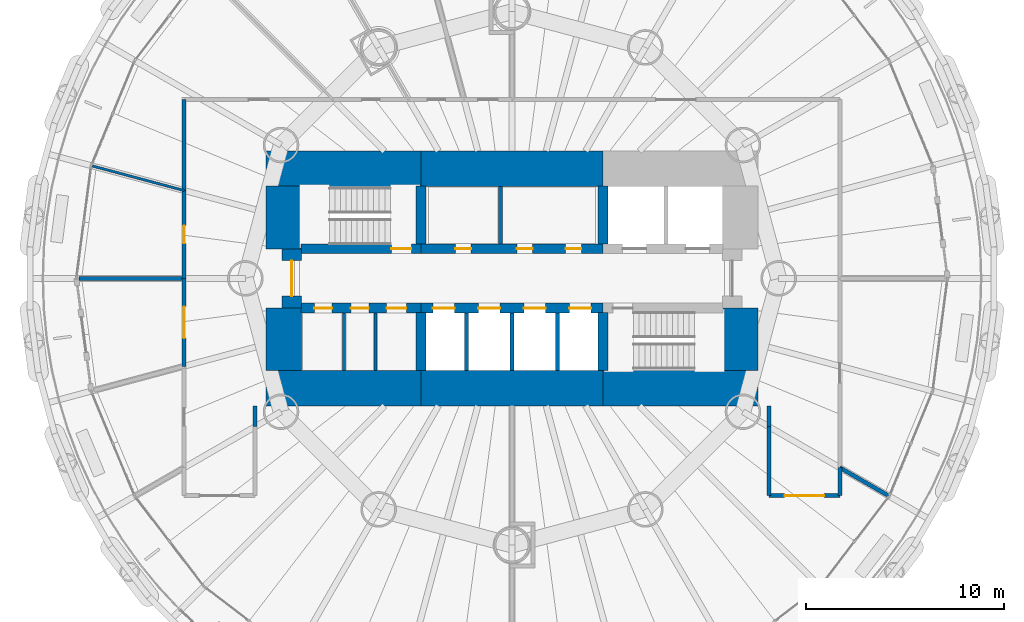
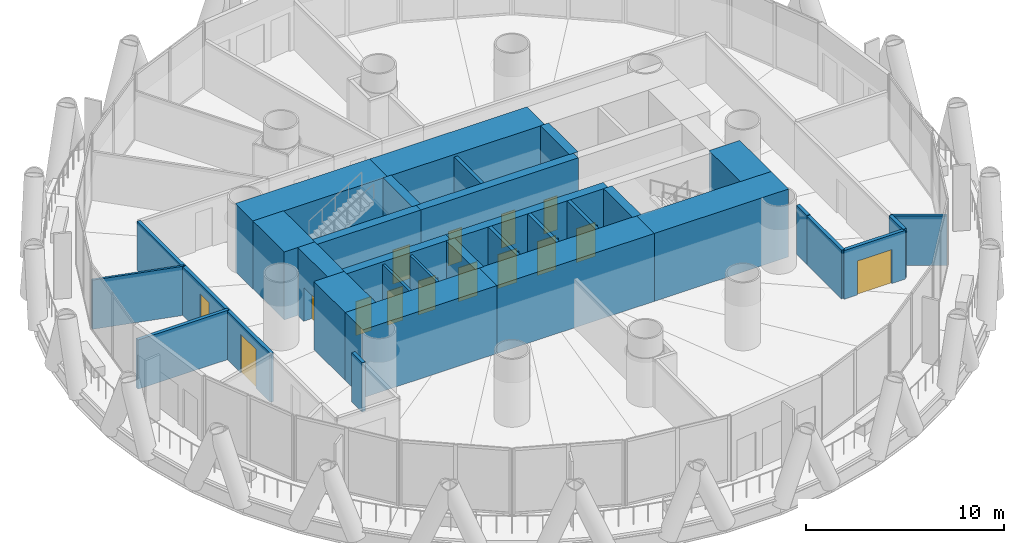
# One storey, part 10 of 16: 34 walls, 15 doors, 15 openings.
"""IFC4 building model written with IfcOpenShell, lengths in metres."""

from ifc_helpers import new_model, si_unit, direction, frame, frame_2d, origin, place, context, subcontext, project, spatial, rectangle, extrude, material, layer, layer_set, type_object, element, fill, save


model = new_model("IFC4")

# Units and contexts
model_context = context("Model", 3, precision=1e-05, world=origin(), true_north=direction((0.0, 1.0)))
body_context = subcontext(model_context, "Body", "Model", "MODEL_VIEW")
ifc_project = project(units=[si_unit("LENGTHUNIT", "METRE"), si_unit("AREAUNIT", "SQUARE_METRE"), si_unit("VOLUMEUNIT", "CUBIC_METRE"), si_unit("PLANEANGLEUNIT", "RADIAN"), si_unit("MASSUNIT", "GRAM", prefix="KILO")], contexts=[model_context])

# Site, building, storey
site_placement = place(None, origin())
site = spatial("IfcSite", under=ifc_project, at=site_placement, CompositionType="ELEMENT")
building_placement = place(site_placement, origin())
building = spatial("IfcBuilding", under=site, at=building_placement, Name="Qaws Media Tower", CompositionType="ELEMENT")
storey_placement = place(building_placement, frame((0.0, 0.0, 181.39990234375)))
storey = spatial("IfcBuildingStorey", under=building, at=storey_placement, Name="L41", CompositionType="ELEMENT", Elevation=181.39990234375)

# Wall, opening, door
ifc_material_1 = material(Name="Concrete C60/75", Category="concrete")
ifc_layer_1 = layer(ifc_material_1, 0.5)
ifc_layer_set_1 = layer_set([ifc_layer_1], Name="Core inner wall 500")
wall_type_1 = type_object("IfcWallType", Name="Core inner wall 500", PredefinedType="SHEAR", material=ifc_layer_set_1)
wall_1_placement = place(storey_placement, frame((49.330078125, 51.5, 0.0), z_axis=(0.0, 0.0, 1.0), x_axis=(1.0, 0.0, 0.0)))
wall_1 = element("IfcWall", 1, at=wall_1_placement, inside=storey, type_object=wall_type_1, Name="W339 SW12 core wall SPNW L41", PredefinedType="SHEAR", context=body_context, shape_type="SweptSolid", body=[
    extrude(rectangle(XDim=6.06982421875, YDim=0.5, at=frame_2d((3.034912109375, 0.0))), origin(), (0.0, 0.0, 1.0), 4.2001953125),
])
opening_1_placement = place(wall_1_placement, frame((4.570068359375, 0.0, 0.0)))
opening_1 = element("IfcOpeningElement", 2, at=opening_1_placement, cuts=wall_1, Name="Opening D1", PredefinedType="OPENING", context=body_context, shape_type="SweptSolid", body=[
    extrude(rectangle(XDim=1.0, YDim=2.10009765625, at=frame_2d((0.5, 1.050048828125))), frame((0.0, 0.260009765625, 0.0), z_axis=(0.0, -1.0, 0.0), x_axis=(1.0, 0.0, 0.0)), (0.0, 0.0, 1.0), 0.52001953125),
])
ifc_material_2 = material(Name="Steel, fire rated", Category="steel")
door_type_1 = type_object("IfcDoorType", Name="Stair door 1000 FD120", OperationType="SINGLE_SWING_LEFT", PredefinedType="DOOR", material=ifc_material_2)
door_1_placement = place(opening_1_placement, origin())
door_1 = element("IfcDoor", 3, at=door_1_placement, inside=storey, type_object=door_type_1, Name="D1 stair S1 door L41 in wall W339", OperationType="SINGLE_SWING_LEFT", OverallHeight=2.10009765625, OverallWidth=1.0, PredefinedType="DOOR", context=body_context, shape_type="SweptSolid", body=[
    extrude(rectangle(XDim=1.0, YDim=2.10009765625, at=frame_2d((0.5, 1.050048828125))), frame((0.0, 0.02490234375, 0.0), z_axis=(0.0, -1.0, 0.0), x_axis=(1.0, 0.0, 0.0)), (0.0, 0.0, 1.0), 0.050048828125),
])
fill(opening_1, door_1)

# Wall, openings, doors
wall_2_placement = place(storey_placement, frame((55.39990234375, 51.5, 0.0), z_axis=(0.0, 0.0, 1.0), x_axis=(1.0, 0.0, 0.0)))
wall_2 = element("IfcWall", 4, at=wall_2_placement, inside=storey, type_object=wall_type_1, Name="W332 SW12 core wall SPN L41", PredefinedType="SHEAR", context=body_context, shape_type="SweptSolid", body=[
    extrude(rectangle(XDim=9.2001953125, YDim=0.5, at=frame_2d((4.60009765625, 0.0))), origin(), (0.0, 0.0, 1.0), 4.2001953125),
])
opening_2_placement = place(wall_2_placement, frame((1.728515625, 0.0, 0.0)))
opening_2 = element("IfcOpeningElement", 5, at=opening_2_placement, cuts=wall_2, Name="Opening D23", PredefinedType="OPENING", context=body_context, shape_type="SweptSolid", body=[
    extrude(rectangle(XDim=0.800048828125, YDim=2.10009765625, at=frame_2d((0.39990234375, 1.050048828125))), frame((0.0, 0.260009765625, 0.0), z_axis=(0.0, -1.0, 0.0), x_axis=(1.0, 0.0, 0.0)), (0.0, 0.0, 1.0), 0.52001953125),
])
opening_3_placement = place(wall_2_placement, frame((4.842529296875, 0.0, 0.0)))
opening_3 = element("IfcOpeningElement", 6, at=opening_3_placement, cuts=wall_2, Name="Opening D23", PredefinedType="OPENING", context=body_context, shape_type="SweptSolid", body=[
    extrude(rectangle(XDim=0.800048828125, YDim=2.10009765625, at=frame_2d((0.39990234375, 1.050048828125))), frame((0.0, 0.260009765625, 0.0), z_axis=(0.0, -1.0, 0.0), x_axis=(1.0, 0.0, 0.0)), (0.0, 0.0, 1.0), 0.52001953125),
])
opening_4_placement = place(wall_2_placement, frame((7.314208984375, 0.0, 0.0)))
opening_4 = element("IfcOpeningElement", 7, at=opening_4_placement, cuts=wall_2, Name="Opening D23", PredefinedType="OPENING", context=body_context, shape_type="SweptSolid", body=[
    extrude(rectangle(XDim=0.800048828125, YDim=2.10009765625, at=frame_2d((0.39990234375, 1.050048828125))), frame((0.0, 0.260009765625, 0.0), z_axis=(0.0, -1.0, 0.0), x_axis=(1.0, 0.0, 0.0)), (0.0, 0.0, 1.0), 0.52001953125),
])
ifc_material_3 = material(Name="Steel, fire rated", Category="steel")
door_type_2 = type_object("IfcDoorType", Name="Core room door 800x2100", OperationType="SINGLE_SWING_LEFT", PredefinedType="DOOR", material=ifc_material_3)
door_2_placement = place(opening_2_placement, origin())
door_2 = element("IfcDoor", 8, at=door_2_placement, inside=storey, type_object=door_type_2, Name="D23 Gents toilets door L41 in wall W332", OperationType="SINGLE_SWING_LEFT", OverallHeight=2.10009765625, OverallWidth=0.800048828125, PredefinedType="DOOR", context=body_context, shape_type="SweptSolid", body=[
    extrude(rectangle(XDim=0.800048828125, YDim=2.10009765625, at=frame_2d((0.39990234375, 1.050048828125))), frame((0.0, 0.02490234375, 0.0), z_axis=(0.0, -1.0, 0.0), x_axis=(1.0, 0.0, 0.0)), (0.0, 0.0, 1.0), 0.050048828125),
])
fill(opening_2, door_2)
door_3_placement = place(opening_3_placement, origin())
door_3 = element("IfcDoor", 9, at=door_3_placement, inside=storey, type_object=door_type_2, Name="D23 Ladies toilets door L41 2 in wall W332", OperationType="SINGLE_SWING_LEFT", OverallHeight=2.10009765625, OverallWidth=0.800048828125, PredefinedType="DOOR", context=body_context, shape_type="SweptSolid", body=[
    extrude(rectangle(XDim=0.800048828125, YDim=2.10009765625, at=frame_2d((0.39990234375, 1.050048828125))), frame((0.0, 0.02490234375, 0.0), z_axis=(0.0, -1.0, 0.0), x_axis=(1.0, 0.0, 0.0)), (0.0, 0.0, 1.0), 0.050048828125),
])
fill(opening_3, door_3)
door_4_placement = place(opening_4_placement, origin())
door_4 = element("IfcDoor", 10, at=door_4_placement, inside=storey, type_object=door_type_2, Name="D23 Ladies toilets door L41 3 in wall W332", OperationType="SINGLE_SWING_LEFT", OverallHeight=2.10009765625, OverallWidth=0.800048828125, PredefinedType="DOOR", context=body_context, shape_type="SweptSolid", body=[
    extrude(rectangle(XDim=0.800048828125, YDim=2.10009765625, at=frame_2d((0.39990234375, 1.050048828125))), frame((0.0, 0.02490234375, 0.0), z_axis=(0.0, -1.0, 0.0), x_axis=(1.0, 0.0, 0.0)), (0.0, 0.0, 1.0), 0.050048828125),
])
fill(opening_4, door_4)

wall_3_placement = place(storey_placement, frame((49.330078125, 48.5, 0.0), z_axis=(0.0, 0.0, 1.0), x_axis=(1.0, 0.0, 0.0)))
wall_3 = element("IfcWall", 11, at=wall_3_placement, inside=storey, type_object=wall_type_1, Name="W338 SW12 core wall SPSW L41", PredefinedType="SHEAR", context=body_context, shape_type="SweptSolid", body=[
    extrude(rectangle(XDim=6.06982421875, YDim=0.5, at=frame_2d((3.034912109375, 0.0))), origin(), (0.0, 0.0, 1.0), 4.2001953125),
])
opening_5_placement = place(wall_3_placement, frame((0.669921875, 0.0, 0.0)))
opening_5 = element("IfcOpeningElement", 12, at=opening_5_placement, cuts=wall_3, Name="Opening D3", PredefinedType="OPENING", context=body_context, shape_type="SweptSolid", body=[
    extrude(rectangle(XDim=0.89990234375, YDim=2.10009765625, at=frame_2d((0.449951171875, 1.050048828125))), frame((0.0, 0.260009765625, 0.0), z_axis=(0.0, -1.0, 0.0), x_axis=(1.0, 0.0, 0.0)), (0.0, 0.0, 1.0), 0.52001953125),
])
opening_6_placement = place(wall_3_placement, frame((2.52001953125, 0.0, 0.0)))
opening_6 = element("IfcOpeningElement", 13, at=opening_6_placement, cuts=wall_3, Name="Opening D25", PredefinedType="OPENING", context=body_context, shape_type="SweptSolid", body=[
    extrude(rectangle(XDim=0.89990234375, YDim=2.10009765625, at=frame_2d((0.449951171875, 1.050048828125))), frame((0.0, 0.260009765625, 0.0), z_axis=(0.0, -1.0, 0.0), x_axis=(1.0, 0.0, 0.0)), (0.0, 0.0, 1.0), 0.52001953125),
])
opening_7_placement = place(wall_3_placement, frame((4.320068359375, 0.0, 0.0)))
opening_7 = element("IfcOpeningElement", 14, at=opening_7_placement, cuts=wall_3, Name="Opening D4", PredefinedType="OPENING", context=body_context, shape_type="SweptSolid", body=[
    extrude(rectangle(XDim=1.0, YDim=2.10009765625, at=frame_2d((0.5, 1.050048828125))), frame((0.0, 0.260009765625, 0.0), z_axis=(0.0, -1.0, 0.0), x_axis=(1.0, 0.0, 0.0)), (0.0, 0.0, 1.0), 0.52001953125),
])
ifc_material_4 = material(Name="Timber veneered", Category="wood")
door_type_3 = type_object("IfcDoorType", Name="Accessible WC door 1000", OperationType="SLIDING_TO_LEFT", PredefinedType="DOOR", material=ifc_material_4)
door_5_placement = place(opening_7_placement, origin())
door_5 = element("IfcDoor", 15, at=door_5_placement, inside=storey, type_object=door_type_3, Name="D4 toilet door 3 L41 in wall W338", OperationType="SLIDING_TO_LEFT", OverallHeight=2.10009765625, OverallWidth=1.0, PredefinedType="DOOR", context=body_context, shape_type="SweptSolid", body=[
    extrude(rectangle(XDim=1.0, YDim=2.10009765625, at=frame_2d((0.5, 1.050048828125))), frame((0.0, 0.02490234375, 0.0), z_axis=(0.0, -1.0, 0.0), x_axis=(1.0, 0.0, 0.0)), (0.0, 0.0, 1.0), 0.050048828125),
])
fill(opening_7, door_5)
ifc_material_5 = material(Name="Steel, fire rated", Category="steel")
door_type_4 = type_object("IfcDoorType", Name="Core service door 900", OperationType="SINGLE_SWING_RIGHT", PredefinedType="DOOR", material=ifc_material_5)
door_6_placement = place(opening_6_placement, origin())
door_6 = element("IfcDoor", 16, at=door_6_placement, inside=storey, type_object=door_type_4, Name="D25 toilet door 2 L41 in wall W338", OperationType="SINGLE_SWING_RIGHT", OverallHeight=2.10009765625, OverallWidth=0.89990234375, PredefinedType="DOOR", context=body_context, shape_type="SweptSolid", body=[
    extrude(rectangle(XDim=0.89990234375, YDim=2.10009765625, at=frame_2d((0.449951171875, 1.050048828125))), frame((0.0, 0.02490234375, 0.0), z_axis=(0.0, -1.0, 0.0), x_axis=(1.0, 0.0, 0.0)), (0.0, 0.0, 1.0), 0.050048828125),
])
fill(opening_6, door_6)
ifc_material_6 = material(Name="Timber veneered", Category="wood")
door_type_5 = type_object("IfcDoorType", Name="Toilet door 900", OperationType="SINGLE_SWING_RIGHT", PredefinedType="DOOR", material=ifc_material_6)
door_7_placement = place(opening_5_placement, origin())
door_7 = element("IfcDoor", 17, at=door_7_placement, inside=storey, type_object=door_type_5, Name="D3 toilet door 1 L41 in wall W338", OperationType="SINGLE_SWING_RIGHT", OverallHeight=2.10009765625, OverallWidth=0.89990234375, PredefinedType="DOOR", context=body_context, shape_type="SweptSolid", body=[
    extrude(rectangle(XDim=0.89990234375, YDim=2.10009765625, at=frame_2d((0.449951171875, 1.050048828125))), frame((0.0, 0.02490234375, 0.0), z_axis=(0.0, -1.0, 0.0), x_axis=(1.0, 0.0, 0.0)), (0.0, 0.0, 1.0), 0.050048828125),
])
fill(opening_5, door_7)

wall_4_placement = place(storey_placement, frame((55.39990234375, 48.5, 0.0), z_axis=(0.0, 0.0, 1.0), x_axis=(1.0, 0.0, 0.0)))
wall_4 = element("IfcWall", 18, at=wall_4_placement, inside=storey, type_object=wall_type_1, Name="W331 SW12 core wall SPS L41", PredefinedType="SHEAR", context=body_context, shape_type="SweptSolid", body=[
    extrude(rectangle(XDim=9.2001953125, YDim=0.5, at=frame_2d((4.60009765625, 0.0))), origin(), (0.0, 0.0, 1.0), 4.2001953125),
])
opening_8_placement = place(wall_4_placement, frame((0.60009765625, 0.0, 0.0)))
opening_8 = element("IfcOpeningElement", 19, at=opening_8_placement, cuts=wall_4, Name="Opening LD", PredefinedType="OPENING", context=body_context, shape_type="SweptSolid", body=[
    extrude(rectangle(XDim=1.10009765625, YDim=2.10009765625, at=frame_2d((0.550048828125, 1.050048828125))), frame((0.0, 0.260009765625, 0.0), z_axis=(0.0, -1.0, 0.0), x_axis=(1.0, 0.0, 0.0)), (0.0, 0.0, 1.0), 0.52001953125),
])
opening_9_placement = place(wall_4_placement, frame((2.89990234375, 0.0, 0.0)))
opening_9 = element("IfcOpeningElement", 20, at=opening_9_placement, cuts=wall_4, Name="Opening LD", PredefinedType="OPENING", context=body_context, shape_type="SweptSolid", body=[
    extrude(rectangle(XDim=1.10009765625, YDim=2.10009765625, at=frame_2d((0.550048828125, 1.050048828125))), frame((0.0, 0.260009765625, 0.0), z_axis=(0.0, -1.0, 0.0), x_axis=(1.0, 0.0, 0.0)), (0.0, 0.0, 1.0), 0.52001953125),
])
opening_10_placement = place(wall_4_placement, frame((5.199951171875, 0.0, 0.0)))
opening_10 = element("IfcOpeningElement", 21, at=opening_10_placement, cuts=wall_4, Name="Opening LD", PredefinedType="OPENING", context=body_context, shape_type="SweptSolid", body=[
    extrude(rectangle(XDim=1.10009765625, YDim=2.10009765625, at=frame_2d((0.550048828125, 1.050048828125))), frame((0.0, 0.260009765625, 0.0), z_axis=(0.0, -1.0, 0.0), x_axis=(1.0, 0.0, 0.0)), (0.0, 0.0, 1.0), 0.52001953125),
])
opening_11_placement = place(wall_4_placement, frame((7.5, 0.0, 0.0)))
opening_11 = element("IfcOpeningElement", 22, at=opening_11_placement, cuts=wall_4, Name="Opening LD", PredefinedType="OPENING", context=body_context, shape_type="SweptSolid", body=[
    extrude(rectangle(XDim=1.10009765625, YDim=2.10009765625, at=frame_2d((0.550048828125, 1.050048828125))), frame((0.0, 0.260009765625, 0.0), z_axis=(0.0, -1.0, 0.0), x_axis=(1.0, 0.0, 0.0)), (0.0, 0.0, 1.0), 0.52001953125),
])
ifc_material_7 = material(Name="Steel, fire rated", Category="steel")
door_type_6 = type_object("IfcDoorType", Name="Lift landing door 1100", OperationType="SLIDING_TO_LEFT", PredefinedType="DOOR", material=ifc_material_7)
door_8_placement = place(opening_8_placement, origin())
door_8 = element("IfcDoor", 23, at=door_8_placement, inside=storey, type_object=door_type_6, Name="P5 landing door L41 in wall W331", OperationType="SLIDING_TO_LEFT", OverallHeight=2.10009765625, OverallWidth=1.10009765625, PredefinedType="DOOR", context=body_context, shape_type="SweptSolid", body=[
    extrude(rectangle(XDim=1.10009765625, YDim=2.10009765625, at=frame_2d((0.550048828125, 1.050048828125))), frame((0.0, 0.02490234375, 0.0), z_axis=(0.0, -1.0, 0.0), x_axis=(1.0, 0.0, 0.0)), (0.0, 0.0, 1.0), 0.050048828125),
])
fill(opening_8, door_8)
door_9_placement = place(opening_9_placement, origin())
door_9 = element("IfcDoor", 24, at=door_9_placement, inside=storey, type_object=door_type_6, Name="P6 landing door L41 in wall W331", OperationType="SLIDING_TO_LEFT", OverallHeight=2.10009765625, OverallWidth=1.10009765625, PredefinedType="DOOR", context=body_context, shape_type="SweptSolid", body=[
    extrude(rectangle(XDim=1.10009765625, YDim=2.10009765625, at=frame_2d((0.550048828125, 1.050048828125))), frame((0.0, 0.02490234375, 0.0), z_axis=(0.0, -1.0, 0.0), x_axis=(1.0, 0.0, 0.0)), (0.0, 0.0, 1.0), 0.050048828125),
])
fill(opening_9, door_9)
door_10_placement = place(opening_10_placement, origin())
door_10 = element("IfcDoor", 25, at=door_10_placement, inside=storey, type_object=door_type_6, Name="P7 landing door L41 in wall W331", OperationType="SLIDING_TO_LEFT", OverallHeight=2.10009765625, OverallWidth=1.10009765625, PredefinedType="DOOR", context=body_context, shape_type="SweptSolid", body=[
    extrude(rectangle(XDim=1.10009765625, YDim=2.10009765625, at=frame_2d((0.550048828125, 1.050048828125))), frame((0.0, 0.02490234375, 0.0), z_axis=(0.0, -1.0, 0.0), x_axis=(1.0, 0.0, 0.0)), (0.0, 0.0, 1.0), 0.050048828125),
])
fill(opening_10, door_10)
door_11_placement = place(opening_11_placement, origin())
door_11 = element("IfcDoor", 26, at=door_11_placement, inside=storey, type_object=door_type_6, Name="P8 landing door L41 in wall W331", OperationType="SLIDING_TO_LEFT", OverallHeight=2.10009765625, OverallWidth=1.10009765625, PredefinedType="DOOR", context=body_context, shape_type="SweptSolid", body=[
    extrude(rectangle(XDim=1.10009765625, YDim=2.10009765625, at=frame_2d((0.550048828125, 1.050048828125))), frame((0.0, 0.02490234375, 0.0), z_axis=(0.0, -1.0, 0.0), x_axis=(1.0, 0.0, 0.0)), (0.0, 0.0, 1.0), 0.050048828125),
])
fill(opening_11, door_11)

# Walls
for number, where, z_axis, x_axis, name in (
    (27, (55.39990234375, 51.72998046875, 0.0), (0.0, 0.0, 1.0), (0.0, 1.0, 0.0), "W341 SW12 core wall XNW L41"),
    (28, (64.60009765625, 51.72998046875, 0.0), (0.0, 0.0, 1.0), (0.0, 1.0, 0.0), "W345 SW12 core wall XNE L41"),
    (29, (55.39990234375, 48.27001953125, 0.0), (0.0, 0.0, 1.0), (0.0, -1.0, 0.0), "W340 SW12 core wall XSW L41"),
    (30, (64.60009765625, 48.27001953125, 0.0), (0.0, 0.0, 1.0), (0.0, -1.0, 0.0), "W342 SW12 core wall XSE L41"),
):
    element("IfcWall", number, at=place(storey_placement, frame(where, z_axis=z_axis, x_axis=x_axis)), inside=storey, type_object=wall_type_1, Name=name, PredefinedType="SHEAR", context=body_context, shape_type="SweptSolid", body=[
        extrude(rectangle(XDim=2.93994140625, YDim=0.5, at=frame_2d((1.469970703125, 0.0))), origin(), (0.0, 0.0, 1.0), 4.2001953125),
    ])

# Wall, opening, door
ifc_material_8 = material(Name="Concrete C60/75", Category="concrete")
ifc_layer_2 = layer(ifc_material_8, 1.0)
ifc_layer_set_2 = layer_set([ifc_layer_2], Name="Core wall 1000")
wall_type_2 = type_object("IfcWallType", Name="Core wall 1000", PredefinedType="SHEAR", material=ifc_layer_set_2)
wall_5_placement = place(storey_placement, frame((48.85009765625, 48.5, 0.0), z_axis=(0.0, 0.0, 1.0), x_axis=(0.0, 1.0, 0.0)))
wall_5 = element("IfcWall", 31, at=wall_5_placement, inside=storey, type_object=wall_type_2, Name="W366 SW8 core wall W L41", PredefinedType="SHEAR", context=body_context, shape_type="SweptSolid", body=[
    extrude(rectangle(XDim=3.0, YDim=1.0, at=frame_2d((1.5, 0.0))), origin(), (0.0, 0.0, 1.0), 4.2001953125),
])
opening_12_placement = place(wall_5_placement, frame((0.60009765625, 0.0, 0.0)))
opening_12 = element("IfcOpeningElement", 32, at=opening_12_placement, cuts=wall_5, Name="Opening D2", PredefinedType="OPENING", context=body_context, shape_type="SweptSolid", body=[
    extrude(rectangle(XDim=1.800048828125, YDim=2.10009765625, at=frame_2d((0.89990234375, 1.050048828125))), frame((0.0, 0.510009765625, 0.0), z_axis=(0.0, -1.0, 0.0), x_axis=(1.0, 0.0, 0.0)), (0.0, 0.0, 1.0), 1.02001953125),
])
ifc_material_9 = material(Name="Steel and glass, fire rated", Category="steel")
door_type_7 = type_object("IfcDoorType", Name="Lobby door pair 1800 FD60", OperationType="DOUBLE_DOOR_DOUBLE_SWING", PredefinedType="DOOR", material=ifc_material_9)
door_12_placement = place(opening_12_placement, origin())
door_12 = element("IfcDoor", 33, at=door_12_placement, inside=storey, type_object=door_type_7, Name="D2 core lobby door W L41 in wall W366", OperationType="DOUBLE_DOOR_DOUBLE_SWING", OverallHeight=2.10009765625, OverallWidth=1.800048828125, PredefinedType="DOOR", context=body_context, shape_type="SweptSolid", body=[
    extrude(rectangle(XDim=1.800048828125, YDim=2.10009765625, at=frame_2d((0.89990234375, 1.050048828125))), frame((0.0, 0.02490234375, 0.0), z_axis=(0.0, -1.0, 0.0), x_axis=(1.0, 0.0, 0.0)), (0.0, 0.0, 1.0), 0.050048828125),
])
fill(opening_12, door_12)

# Walls
ifc_material_10 = material(Name="Concrete C60/75", Category="concrete")
ifc_layer_3 = layer(ifc_material_10, 1.800048828125)
ifc_layer_set_3 = layer_set([ifc_layer_3], Name="Core wall 1800")
wall_type_3 = type_object("IfcWallType", Name="Core wall 1800", PredefinedType="SHEAR", material=ifc_layer_set_3)
wall_6_placement = place(storey_placement, frame((47.550048828125, 55.550048828125, 0.0), z_axis=(0.0, 0.0, 1.0), x_axis=(1.0, 0.0, 0.0)))
element("IfcWall", 34, at=wall_6_placement, inside=storey, type_object=wall_type_3, Name="W417 SW11 core wall NW L41", PredefinedType="SHEAR", context=body_context, shape_type="SweptSolid", body=[
    extrude(rectangle(XDim=7.849853515625, YDim=1.800048828125, at=frame_2d((3.9248046875, 0.0))), origin(), (0.0, 0.0, 1.0), 4.2001953125),
])
wall_7_placement = place(storey_placement, frame((55.39990234375, 55.550048828125, 0.0), z_axis=(0.0, 0.0, 1.0), x_axis=(1.0, 0.0, 0.0)))
element("IfcWall", 35, at=wall_7_placement, inside=storey, type_object=wall_type_3, Name="W421 SW11 core wall N L41", PredefinedType="SHEAR", context=body_context, shape_type="SweptSolid", body=[
    extrude(rectangle(XDim=9.2001953125, YDim=1.800048828125, at=frame_2d((4.60009765625, 0.0))), origin(), (0.0, 0.0, 1.0), 4.2001953125),
])
wall_8_placement = place(storey_placement, frame((47.550048828125, 44.449951171875, 0.0), z_axis=(0.0, 0.0, 1.0), x_axis=(1.0, 0.0, 0.0)))
element("IfcWall", 36, at=wall_8_placement, inside=storey, type_object=wall_type_3, Name="W416 SW11 core wall SW L41", PredefinedType="SHEAR", context=body_context, shape_type="SweptSolid", body=[
    extrude(rectangle(XDim=7.849853515625, YDim=1.800048828125, at=frame_2d((3.9248046875, 0.0))), origin(), (0.0, 0.0, 1.0), 4.2001953125),
])
wall_9_placement = place(storey_placement, frame((55.39990234375, 44.449951171875, 0.0), z_axis=(0.0, 0.0, 1.0), x_axis=(1.0, 0.0, 0.0)))
element("IfcWall", 37, at=wall_9_placement, inside=storey, type_object=wall_type_3, Name="W420 SW11 core wall S L41", PredefinedType="SHEAR", context=body_context, shape_type="SweptSolid", body=[
    extrude(rectangle(XDim=9.2001953125, YDim=1.800048828125, at=frame_2d((4.60009765625, 0.0))), origin(), (0.0, 0.0, 1.0), 4.2001953125),
])
wall_10_placement = place(storey_placement, frame((64.60009765625, 44.449951171875, 0.0), z_axis=(0.0, 0.0, 1.0), x_axis=(1.0, 0.0, 0.0)))
element("IfcWall", 38, at=wall_10_placement, inside=storey, type_object=wall_type_3, Name="W422 SW11 core wall SE L41", PredefinedType="SHEAR", context=body_context, shape_type="SweptSolid", body=[
    extrude(rectangle(XDim=7.849853515625, YDim=1.800048828125, at=frame_2d((3.9248046875, 0.0))), origin(), (0.0, 0.0, 1.0), 4.2001953125),
])
for number, where, z_axis, x_axis, name in (
    (39, (71.550048828125, 45.330078125, 0.0), (0.0, 0.0, 1.0), (0.0, 1.0, 0.0), "W424 SW11 core wall ES L41"),
    (40, (48.449951171875, 45.330078125, 0.0), (0.0, 0.0, 1.0), (0.0, 1.0, 0.0), "W418 SW11 core wall WS L41"),
    (41, (48.449951171875, 51.5, 0.0), (0.0, 0.0, 1.0), (0.0, 1.0, 0.0), "W419 SW11 core wall WN L41"),
):
    element("IfcWall", number, at=place(storey_placement, frame(where, z_axis=z_axis, x_axis=x_axis)), inside=storey, type_object=wall_type_3, Name=name, PredefinedType="SHEAR", context=body_context, shape_type="SweptSolid", body=[
        extrude(rectangle(XDim=3.169921875, YDim=1.800048828125, at=frame_2d((1.5849609375, 0.0))), origin(), (0.0, 0.0, 1.0), 4.2001953125),
    ])
ifc_material_11 = material(Name="Two layers gypsum board each side on 75 studs, insulated", Category="gypsum")
ifc_layer_4 = layer(ifc_material_11, 0.125)
ifc_layer_set_4 = layer_set([ifc_layer_4], Name="Meeting room partition 125 Rw 48")
wall_type_4 = type_object("IfcWallType", Name="Meeting room partition 125 Rw 48", PredefinedType="PARTITIONING", material=ifc_layer_set_4)
wall_11_placement = place(storey_placement, frame((43.405517578125, 54.446533203125, 0.0), z_axis=(0.0, 0.0, 1.0), x_axis=(-0.965932258808, 0.25879503742, 0.0)))
element("IfcWall", 42, at=wall_11_placement, inside=storey, type_object=wall_type_4, Name="W588 IW5 partition L41", PredefinedType="PARTITIONING", context=body_context, shape_type="SweptSolid", body=[
    extrude(rectangle(XDim=4.830078125, YDim=0.125, at=frame_2d((2.4150390625, 0.0))), origin(), (0.0, 0.0, 1.0), 3.0400390625),
])
ifc_material_12 = material(Name="Gypsum board on galvanised metal studs, acoustic double stud, deflection head", Category="gypsum")
ifc_layer_5 = layer(ifc_material_12, 0.199951171875)
ifc_layer_set_5 = layer_set([ifc_layer_5], Name="Room partition 200")
wall_type_5 = type_object("IfcWallType", Name="Room partition 200", PredefinedType="PARTITIONING", material=ifc_layer_set_5)
wall_12_placement = place(storey_placement, frame((76.60009765625, 40.416015625, 0.0), z_axis=(0.0, 0.0, 1.0), x_axis=(0.0, -1.0, 0.0)))
element("IfcWall", 43, at=wall_12_placement, inside=storey, type_object=wall_type_5, Name="W1263 IW3 partition L41", PredefinedType="PARTITIONING", context=body_context, shape_type="SweptSolid", body=[
    extrude(rectangle(XDim=1.416015625, YDim=0.199951171875, at=frame_2d((0.7080078125, 0.0))), origin(), (0.0, 0.0, 1.0), 3.0400390625),
])

# Wall, opening, door
wall_13_placement = place(storey_placement, frame((76.60009765625, 39.0, 0.0), z_axis=(0.0, 0.0, 1.0), x_axis=(-1.0, 0.0, 0.0)))
wall_13 = element("IfcWall", 44, at=wall_13_placement, inside=storey, type_object=wall_type_5, Name="W1426 IW3 partition L41", PredefinedType="PARTITIONING", context=body_context, shape_type="SweptSolid", body=[
    extrude(rectangle(XDim=3.60009765625, YDim=0.199951171875, at=frame_2d((1.800048828125, 0.0))), origin(), (0.0, 0.0, 1.0), 3.01220703125),
])
opening_13_placement = place(wall_13_placement, frame((0.800048828125, 0.0, 0.0)))
opening_13 = element("IfcOpeningElement", 45, at=opening_13_placement, cuts=wall_13, Name="Opening D6", PredefinedType="OPENING", context=body_context, shape_type="SweptSolid", body=[
    extrude(rectangle(XDim=2.0, YDim=2.10009765625, at=frame_2d((1.0, 1.050048828125))), frame((0.0, 0.10986328125, 0.0), z_axis=(0.0, -1.0, 0.0), x_axis=(1.0, 0.0, 0.0)), (0.0, 0.0, 1.0), 0.219970703125),
])
ifc_material_13 = material(Name="Steel, acoustic, fire rated", Category="steel")
door_type_8 = type_object("IfcDoorType", Name="Room door pair 2000", OperationType="DOUBLE_DOOR_DOUBLE_SWING", PredefinedType="DOOR", material=ifc_material_13)
door_13_placement = place(opening_13_placement, origin())
door_13 = element("IfcDoor", 46, at=door_13_placement, inside=storey, type_object=door_type_8, Name="D6 Communications office door L41 in wall W1426", OperationType="DOUBLE_DOOR_DOUBLE_SWING", OverallHeight=2.10009765625, OverallWidth=2.0, PredefinedType="DOOR", context=body_context, shape_type="SweptSolid", body=[
    extrude(rectangle(XDim=2.0, YDim=2.10009765625, at=frame_2d((1.0, 1.050048828125))), frame((0.0, 0.02490234375, 0.0), z_axis=(0.0, -1.0, 0.0), x_axis=(1.0, 0.0, 0.0)), (0.0, 0.0, 1.0), 0.050048828125),
])
fill(opening_13, door_13)

# Walls
wall_14_placement = place(storey_placement, frame((73.0, 39.0, 0.0), z_axis=(0.0, 0.0, 1.0), x_axis=(0.0, 1.0, 0.0)))
element("IfcWall", 47, at=wall_14_placement, inside=storey, type_object=wall_type_5, Name="W1371 IW3 partition L41", PredefinedType="PARTITIONING", context=body_context, shape_type="SweptSolid", body=[
    extrude(rectangle(XDim=3.494384765625, YDim=0.199951171875, at=frame_2d((1.7470703125, 0.0))), origin(), (0.0, 0.0, 1.0), 3.01220703125),
])
for number, where, z_axis, x_axis, name in (
    (48, (73.0, 42.494384765625, 0.0), (0.0, 0.0, 1.0), (0.0, 1.0, 0.0), "W1229 IW3 partition L41"),
    (49, (47.0, 43.550048828125, 0.0), (0.0, 0.0, 1.0), (0.0, -1.0, 0.0), "W1224 IW3 partition L41"),
):
    element("IfcWall", number, at=place(storey_placement, frame(where, z_axis=z_axis, x_axis=x_axis)), inside=storey, type_object=wall_type_5, Name=name, PredefinedType="PARTITIONING", context=body_context, shape_type="SweptSolid", body=[
        extrude(rectangle(XDim=1.0556640625, YDim=0.199951171875, at=frame_2d((0.52783203125, 0.0))), origin(), (0.0, 0.0, 1.0), 3.0400390625),
    ])

# Wall, opening, door
wall_15_placement = place(storey_placement, frame((43.39990234375, 45.552001953125, 0.0), z_axis=(0.0, 0.0, 1.0), x_axis=(0.0, 1.0, 0.0)))
wall_15 = element("IfcWall", 50, at=wall_15_placement, inside=storey, type_object=wall_type_5, Name="W1388 IW3 partition L41", PredefinedType="PARTITIONING", context=body_context, shape_type="SweptSolid", body=[
    extrude(rectangle(XDim=4.447998046875, YDim=0.199951171875, at=frame_2d((2.22412109375, 0.0))), origin(), (0.0, 0.0, 1.0), 3.01220703125),
])
opening_14_placement = place(wall_15_placement, frame((1.424072265625, 0.0, 0.0)))
opening_14 = element("IfcOpeningElement", 51, at=opening_14_placement, cuts=wall_15, Name="Opening D16", PredefinedType="OPENING", context=body_context, shape_type="SweptSolid", body=[
    extrude(rectangle(XDim=1.60009765625, YDim=2.39990234375, at=frame_2d((0.800048828125, 1.199951171875))), frame((0.0, 0.10986328125, 0.0), z_axis=(0.0, -1.0, 0.0), x_axis=(1.0, 0.0, 0.0)), (0.0, 0.0, 1.0), 0.219970703125),
])
ifc_material_14 = material(Name="Glazed aluminium, fire rated", Category="aluminium")
door_type_9 = type_object("IfcDoorType", Name="Tenant entrance door pair 1600x2400", OperationType="DOUBLE_DOOR_DOUBLE_SWING", PredefinedType="DOOR", material=ifc_material_14)
door_14_placement = place(opening_14_placement, origin())
door_14 = element("IfcDoor", 52, at=door_14_placement, inside=storey, type_object=door_type_9, Name="D16 Communications reception door L41 in wall W1388", OperationType="DOUBLE_DOOR_DOUBLE_SWING", OverallHeight=2.39990234375, OverallWidth=1.60009765625, PredefinedType="DOOR", context=body_context, shape_type="SweptSolid", body=[
    extrude(rectangle(XDim=1.60009765625, YDim=2.39990234375, at=frame_2d((0.800048828125, 1.199951171875))), frame((0.0, 0.02490234375, 0.0), z_axis=(0.0, -1.0, 0.0), x_axis=(1.0, 0.0, 0.0)), (0.0, 0.0, 1.0), 0.050048828125),
])
fill(opening_14, door_14)

wall_16_placement = place(storey_placement, frame((43.39990234375, 50.0, 0.0), z_axis=(0.0, 0.0, 1.0), x_axis=(0.0, 1.0, 0.0)))
wall_16 = element("IfcWall", 53, at=wall_16_placement, inside=storey, type_object=wall_type_5, Name="W1405 IW3 partition L41", PredefinedType="PARTITIONING", context=body_context, shape_type="SweptSolid", body=[
    extrude(rectangle(XDim=4.447998046875, YDim=0.199951171875, at=frame_2d((2.22412109375, 0.0))), origin(), (0.0, 0.0, 1.0), 3.01220703125),
])
opening_15_placement = place(wall_16_placement, frame((1.77392578125, 0.0, 0.0)))
opening_15 = element("IfcOpeningElement", 54, at=opening_15_placement, cuts=wall_16, Name="Opening D12", PredefinedType="OPENING", context=body_context, shape_type="SweptSolid", body=[
    extrude(rectangle(XDim=0.89990234375, YDim=2.39990234375, at=frame_2d((0.449951171875, 1.199951171875))), frame((0.0, 0.10986328125, 0.0), z_axis=(0.0, -1.0, 0.0), x_axis=(1.0, 0.0, 0.0)), (0.0, 0.0, 1.0), 0.219970703125),
])
ifc_material_15 = material(Name="Timber veneered, full height", Category="wood")
door_type_10 = type_object("IfcDoorType", Name="Office door 900x2400", OperationType="SINGLE_SWING_LEFT", PredefinedType="DOOR", material=ifc_material_15)
door_15_placement = place(opening_15_placement, origin())
door_15 = element("IfcDoor", 55, at=door_15_placement, inside=storey, type_object=door_type_10, Name="D12 Office door L41 in wall W1405", OperationType="SINGLE_SWING_LEFT", OverallHeight=2.39990234375, OverallWidth=0.89990234375, PredefinedType="DOOR", context=body_context, shape_type="SweptSolid", body=[
    extrude(rectangle(XDim=0.89990234375, YDim=2.39990234375, at=frame_2d((0.449951171875, 1.199951171875))), frame((0.0, 0.02490234375, 0.0), z_axis=(0.0, -1.0, 0.0), x_axis=(1.0, 0.0, 0.0)), (0.0, 0.0, 1.0), 0.050048828125),
])
fill(opening_15, door_15)

# Walls
wall_17_placement = place(storey_placement, frame((43.39990234375, 54.447998046875, 0.0), z_axis=(0.0, 0.0, 1.0), x_axis=(0.0, 1.0, 0.0)))
element("IfcWall", 56, at=wall_17_placement, inside=storey, type_object=wall_type_5, Name="W1406 IW3 partition L41", PredefinedType="PARTITIONING", context=body_context, shape_type="SweptSolid", body=[
    extrude(rectangle(XDim=4.60205078125, YDim=0.199951171875, at=frame_2d((2.301025390625, 0.0))), origin(), (0.0, 0.0, 1.0), 3.01220703125),
])
wall_18_placement = place(storey_placement, frame((43.39990234375, 50.0, 0.0), z_axis=(0.0, 0.0, 1.0), x_axis=(-1.0, 0.0, 0.0)))
element("IfcWall", 57, at=wall_18_placement, inside=storey, type_object=wall_type_5, Name="W1019 IW3 partition L41", PredefinedType="PARTITIONING", context=body_context, shape_type="SweptSolid", body=[
    extrude(rectangle(XDim=5.309814453125, YDim=0.199951171875, at=frame_2d((2.65478515625, 0.0))), origin(), (0.0, 0.0, 1.0), 3.0400390625),
])
wall_19_placement = place(storey_placement, frame((76.593017578125, 40.419921875, 0.0), z_axis=(0.0, 0.0, 1.0), x_axis=(0.866062911188, -0.499935029643, 0.0)))
element("IfcWall", 58, at=wall_19_placement, inside=storey, type_object=wall_type_5, Name="W1425 IW3 partition L41", PredefinedType="PARTITIONING", context=body_context, shape_type="SweptSolid", body=[
    extrude(rectangle(XDim=2.85009765625, YDim=0.199951171875, at=frame_2d((1.425048828125, 0.0))), origin(), (0.0, 0.0, 1.0), 3.0400390625),
])
wall_20_placement = place(storey_placement, frame((59.40673828125, 51.75, 0.0), z_axis=(0.0, 0.0, 1.0), x_axis=(0.0, 1.0, 0.0)))
element("IfcWall", 59, at=wall_20_placement, inside=storey, type_object=wall_type_5, Name="W1207 IW3 core room partition 1 L41", PredefinedType="PARTITIONING", context=body_context, shape_type="SweptSolid", body=[
    extrude(rectangle(XDim=2.89990234375, YDim=0.199951171875, at=frame_2d((1.449951171875, 0.0))), origin(), (0.0, 0.0, 1.0), 4.0400390625),
])
ifc_material_16 = material(Name="Fire-rated gypsum board shaft wall on galvanised metal studs, deflection head", Category="gypsum")
ifc_layer_6 = layer(ifc_material_16, 0.199951171875)
ifc_layer_set_6 = layer_set([ifc_layer_6], Name="Shaft wall 200")
wall_type_6 = type_object("IfcWallType", Name="Shaft wall 200", PredefinedType="PARTITIONING", material=ifc_layer_set_6)
for number, where, z_axis, x_axis, name in (
    (60, (57.699951171875, 45.35009765625, 0.0), (0.0, 0.0, 1.0), (0.0, 1.0, 0.0), "W1853 IW1 shaft wall S1 L41"),
    (61, (60.0, 45.35009765625, 0.0), (0.0, 0.0, 1.0), (0.0, 1.0, 0.0), "W1855 IW1 shaft wall S2 L41"),
    (62, (62.300048828125, 45.35009765625, 0.0), (0.0, 0.0, 1.0), (0.0, 1.0, 0.0), "W1857 IW1 shaft wall S3 L41"),
):
    element("IfcWall", number, at=place(storey_placement, frame(where, z_axis=z_axis, x_axis=x_axis)), inside=storey, type_object=wall_type_6, Name=name, PredefinedType="PARTITIONING", context=body_context, shape_type="SweptSolid", body=[
        extrude(rectangle(XDim=2.89990234375, YDim=0.199951171875, at=frame_2d((1.449951171875, 0.0))), origin(), (0.0, 0.0, 1.0), 4.2001953125),
    ])
ifc_material_17 = material(Name="Gypsum board on galvanised metal studs, deflection head", Category="gypsum")
ifc_layer_7 = layer(ifc_material_17, 0.14990234375)
ifc_layer_set_7 = layer_set([ifc_layer_7], Name="WC partition 150")
wall_type_7 = type_object("IfcWallType", Name="WC partition 150", PredefinedType="PARTITIONING", material=ifc_layer_set_7)
for number, where, z_axis, x_axis, name in (
    (63, (51.5, 45.35009765625, 0.0), (0.0, 0.0, 1.0), (0.0, 1.0, 0.0), "W1909 IW2 toilet partition 1 L41"),
    (64, (53.10009765625, 45.35009765625, 0.0), (0.0, 0.0, 1.0), (0.0, 1.0, 0.0), "W1911 IW2 toilet partition 2 L41"),
):
    element("IfcWall", number, at=place(storey_placement, frame(where, z_axis=z_axis, x_axis=x_axis)), inside=storey, type_object=wall_type_7, Name=name, PredefinedType="PARTITIONING", context=body_context, shape_type="SweptSolid", body=[
        extrude(rectangle(XDim=2.89990234375, YDim=0.14990234375, at=frame_2d((1.449951171875, 0.0))), origin(), (0.0, 0.0, 1.0), 4.0400390625),
    ])

save(model, "model.ifc")
